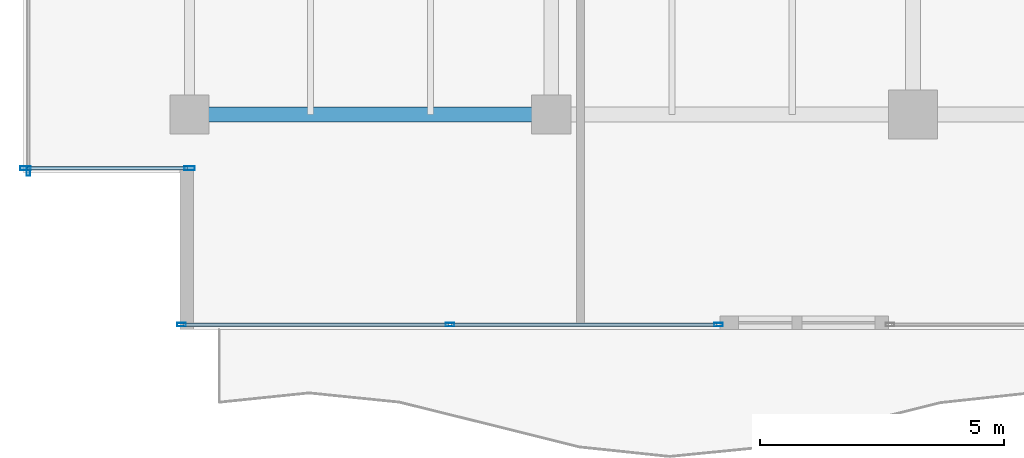
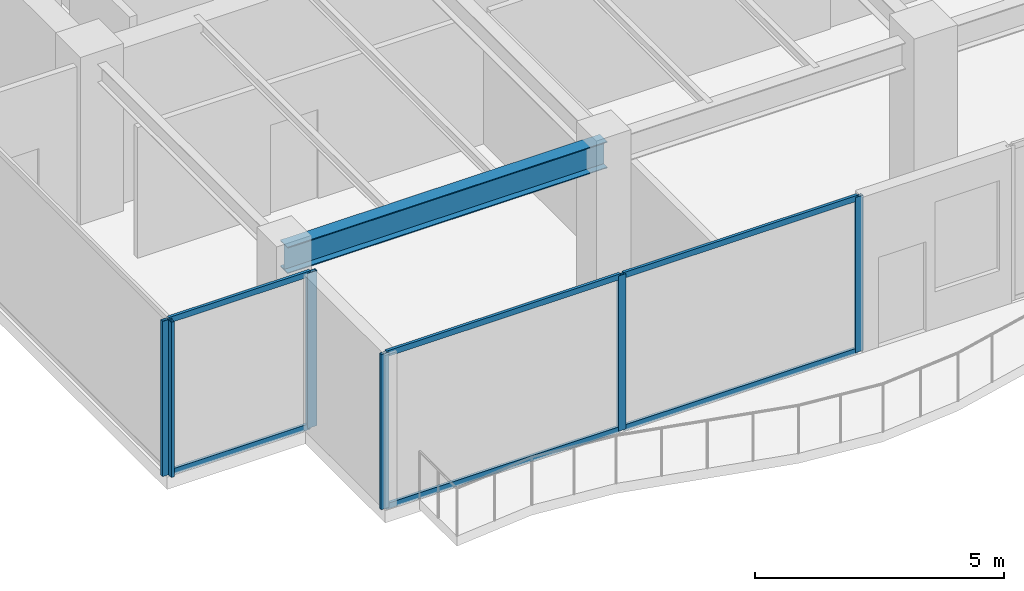
# One storey, part 4 of 34: 12 members, 1 beam, 3 elements without a shape of their own.
"""IFC4 building model written with IfcOpenShell, lengths in metres."""

import ifcopenshell
import ifcopenshell.guid

model = None  # the IFC model being written
_history = None  # IfcOwnerHistory: only IFC2X3 demands one
_inside = {}  # id of a spatial element -> (the spatial element, [elements in it])
_under = {}  # id of a project, library or spatial element -> (it, [spatial elements below it])
_declared = {}  # id of a project -> (the project, [libraries it declares])
_typed = {}  # id of a type object -> (the type object, [elements of that type])
_made_of = {}  # id of a material, layer set ... -> (it, [elements and type objects made of it])


def new_model(schema):
    """Start an empty IFC model of exactly this schema.

    Asked for "IFC4X3", IfcOpenShell would pick the latest addendum, in which some entities
    have other attributes; the version numbers below select the first issue.
    IFC2X3 requires an IfcOwnerHistory on every rooted entity: one is made here for all.
    """
    global model, _history
    if schema == "IFC4X3":
        model = ifcopenshell.file(schema_version=(4, 3, 0, 0))
    else:
        model = ifcopenshell.file(schema=schema)
    _inside.clear()
    _under.clear()
    _declared.clear()
    _typed.clear()
    _made_of.clear()
    _history = None
    if model.schema == "IFC2X3":
        org = make("IfcOrganization", Name="unknown")
        user = make(
            "IfcPersonAndOrganization",
            ThePerson=make("IfcPerson", FamilyName="unknown"),
            TheOrganization=org,
        )
        app = make(
            "IfcApplication",
            ApplicationDeveloper=org,
            Version="unknown",
            ApplicationFullName="unknown",
            ApplicationIdentifier="unknown",
        )
        _history = make(
            "IfcOwnerHistory",
            OwningUser=user,
            OwningApplication=app,
            ChangeAction="ADDED",
            CreationDate=0,
        )
    return model


def make(cls, **values):
    """One entity of the class cls with the attributes given. An attribute that is None is left unset."""
    return model.create_entity(
        cls, **{name: value for name, value in values.items() if value is not None}
    )


def rooted(cls, **values):
    """An entity with a GlobalId (a new one), such as an element, a storey or a relation."""
    return make(cls, GlobalId=ifcopenshell.guid.new(), OwnerHistory=_history, **values)


def si_unit(unit_type, name, prefix=None):
    """IfcSIUnit, for example si_unit("LENGTHUNIT", "METRE", prefix="MILLI")."""
    return make("IfcSIUnit", UnitType=unit_type, Prefix=prefix, Name=name)


def assignment(units):
    """IfcUnitAssignment: the units of a project."""
    return None if units is None else make("IfcUnitAssignment", Units=units)


def point(xyz):
    """IfcCartesianPoint."""
    return None if xyz is None else make("IfcCartesianPoint", Coordinates=xyz)


def direction(xyz):
    """IfcDirection."""
    return None if xyz is None else make("IfcDirection", DirectionRatios=xyz)


def frame(location, z_axis=None, x_axis=None):
    """IfcAxis2Placement3D, a coordinate frame: its origin and axes. An axis left out is left unset."""
    return make(
        "IfcAxis2Placement3D",
        Location=point(location),
        Axis=direction(z_axis),
        RefDirection=direction(x_axis),
    )


def frame_2d(location, x_axis=None):
    """IfcAxis2Placement2D, a coordinate frame in the plane: its origin and x axis."""
    return make(
        "IfcAxis2Placement2D", Location=point(location), RefDirection=direction(x_axis)
    )


def origin():
    """The frame at (0, 0, 0) with its axes left unset."""
    return frame((0.0, 0.0, 0.0))


def origin_2d():
    """The frame at (0, 0) in the plane with its x axis left unset."""
    return frame_2d((0.0, 0.0))


def place(relative_to, where):
    """IfcLocalPlacement: puts the frame where relative to a parent placement (None: the world)."""
    return make(
        "IfcLocalPlacement", PlacementRelTo=relative_to, RelativePlacement=where
    )


def context(
    kind, dimensions, precision=None, world=None, true_north=None, identifier=None
):
    """IfcGeometricRepresentationContext, for example the 3D "Model" context."""
    return make(
        "IfcGeometricRepresentationContext",
        ContextIdentifier=identifier,
        ContextType=kind,
        CoordinateSpaceDimension=dimensions,
        Precision=precision,
        WorldCoordinateSystem=world,
        TrueNorth=true_north,
    )


def subcontext(parent, identifier, kind, view, scale=None):
    """IfcGeometricRepresentationSubContext, for example "Body" below "Model"."""
    return make(
        "IfcGeometricRepresentationSubContext",
        ContextIdentifier=identifier,
        ContextType=kind,
        ParentContext=parent,
        TargetScale=scale,
        TargetView=view,
    )


def project(units=None, contexts=None):
    """IfcProject with its units and contexts."""
    return rooted(
        "IfcProject",
        Name="project",
        RepresentationContexts=contexts,
        UnitsInContext=assignment(units),
    )


def spatial(cls, under=None, at=None, **own):
    """A site, building, storey or space (cls), placed at a placement, below another one or the project."""
    s = rooted(cls, ObjectPlacement=at, **own)
    if under is not None:
        _under.setdefault(under.id(), (under, []))[1].append(s)
    return s


def profile(cls, at=None, kind="AREA", **sizes):
    """A parametric profile (cls). Its sizes go by their IFC names, for example OverallWidth=200.0."""
    return make(cls, ProfileType=kind, Position=at, **sizes)


def hollow_rectangle(**sizes):
    """IfcRectangleHollowProfileDef."""
    return profile("IfcRectangleHollowProfileDef", **sizes)


def i_section(**sizes):
    """IfcIShapeProfileDef."""
    return profile("IfcIShapeProfileDef", **sizes)


def extrude(swept, where, along, depth):
    """IfcExtrudedAreaSolid: the profile swept, set in the frame where, extruded along a direction by depth."""
    return make(
        "IfcExtrudedAreaSolid",
        SweptArea=swept,
        Position=where,
        ExtrudedDirection=direction(along),
        Depth=depth,
    )


def shape(context_of_items, identifier, shape_type, items):
    """IfcShapeRepresentation: the items that make up one representation, for example the "Body"."""
    return make(
        "IfcShapeRepresentation",
        ContextOfItems=context_of_items,
        RepresentationIdentifier=identifier,
        RepresentationType=shape_type,
        Items=items,
    )


def source(mapping_origin, context_of_items, identifier, shape_type, items):
    """IfcRepresentationMap: a shape defined once, which mapped items show again and again."""
    return make(
        "IfcRepresentationMap",
        MappingOrigin=mapping_origin,
        MappedRepresentation=shape(context_of_items, identifier, shape_type, items),
    )


def transform(
    local_origin,
    x_axis=None,
    y_axis=None,
    z_axis=None,
    scale=None,
    scale2=None,
    scale3=None,
    uniform=True,
):
    """IfcCartesianTransformationOperator3D, or its non-uniform kind. x_axis, y_axis, z_axis: its Axis1, 2, 3."""
    if uniform:
        return make(
            "IfcCartesianTransformationOperator3D",
            Axis1=direction(x_axis),
            Axis2=direction(y_axis),
            LocalOrigin=point(local_origin),
            Scale=scale,
            Axis3=direction(z_axis),
        )
    return make(
        "IfcCartesianTransformationOperator3DnonUniform",
        Axis1=direction(x_axis),
        Axis2=direction(y_axis),
        LocalOrigin=point(local_origin),
        Scale=scale,
        Axis3=direction(z_axis),
        Scale2=scale2,
        Scale3=scale3,
    )


def mapped(mapping_source, mapping_target):
    """IfcMappedItem: shows the shape of a source again, moved by a transform."""
    return make(
        "IfcMappedItem", MappingSource=mapping_source, MappingTarget=mapping_target
    )


def material(Name=None, Category=None):
    """IfcMaterial."""
    return make("IfcMaterial", Name=Name, Category=Category)


def layer(
    of_material, thickness, ventilated=None, Name=None, Category=None, Priority=None
):
    """IfcMaterialLayer: one layer of a wall or slab, of a material (None: an air gap)."""
    return make(
        "IfcMaterialLayer",
        Material=of_material,
        LayerThickness=thickness,
        IsVentilated=ventilated,
        Name=Name,
        Category=Category,
        Priority=Priority,
    )


def layer_set(layers, Name=None):
    """IfcMaterialLayerSet."""
    return make("IfcMaterialLayerSet", MaterialLayers=layers, LayerSetName=Name)


def material_profile(
    of_material, cross_section, Name=None, Category=None, Priority=None
):
    """IfcMaterialProfile: a cross section and its material."""
    return make(
        "IfcMaterialProfile",
        Name=Name,
        Material=of_material,
        Profile=cross_section,
        Priority=Priority,
        Category=Category,
    )


def profile_set(profiles, Name=None, composite=None):
    """IfcMaterialProfileSet."""
    return make(
        "IfcMaterialProfileSet",
        Name=Name,
        MaterialProfiles=profiles,
        CompositeProfile=composite,
    )


def made_of(thing, what):
    """Note that an element or type object is made of a material, layer set ...; save() writes the relation."""
    if what is not None:
        _made_of.setdefault(what.id(), (what, []))[1].append(thing)
    return thing


def type_object(cls, material=None, **own):
    """A type object (cls), such as IfcWallType, which elements share."""
    return made_of(rooted(cls, **own), material)


def type_shapes(of_type, sources):
    """Give a type object the sources (RepresentationMaps) that its elements show as mapped items."""
    of_type.RepresentationMaps = sources


def element(
    cls,
    number,
    at=None,
    inside=None,
    cuts=None,
    type_object=None,
    material=None,
    context=None,
    identifier="Body",
    shape_type=None,
    held_by="IfcProductDefinitionShape",
    body=None,
    shapes=None,
    **own,
):
    """One element of the class cls, such as IfcWall. Its Tag is "e" and its number.

    at: its placement. inside: the storey or other place that contains it. cuts: it is an
    opening in that element (IfcRelVoidsElement). A single representation is given by context,
    identifier, shape_type and body (its items); several are given by shapes. held_by: the class
    of the entity that holds the representations. save() writes the other relations.
    """
    e = rooted(cls, Tag="e%d" % number, ObjectPlacement=at, **own)
    if body is not None:
        shapes = [shape(context, identifier, shape_type, body)]
    if shapes is not None:
        e.Representation = make(held_by, Representations=shapes)
    if inside is not None:
        _inside.setdefault(inside.id(), (inside, []))[1].append(e)
    if cuts is not None:
        rooted(
            "IfcRelVoidsElement", RelatingBuildingElement=cuts, RelatedOpeningElement=e
        )
    if type_object is not None:
        _typed.setdefault(type_object.id(), (type_object, []))[1].append(e)
    return made_of(e, material)


def aggregate(whole, parts):
    """IfcRelAggregates: a whole, such as a stair, and the parts it consists of."""
    return rooted("IfcRelAggregates", RelatingObject=whole, RelatedObjects=parts)


def save(model, path):
    """Write the relations noted so far, then the file.

    IfcRelAggregates (storeys below a building ...), IfcRelContainedInSpatialStructure (elements
    in a storey), IfcRelDefinesByType, IfcRelAssociatesMaterial and IfcRelDeclares: one each for
    every whole, place, type object, material and project.
    """
    for whole, parts in _under.values():
        aggregate(whole, parts)
    for where, things in _inside.values():
        rooted(
            "IfcRelContainedInSpatialStructure",
            RelatedElements=things,
            RelatingStructure=where,
        )
    for kind, things in _typed.values():
        rooted("IfcRelDefinesByType", RelatedObjects=things, RelatingType=kind)
    for what, things in _made_of.values():
        rooted("IfcRelAssociatesMaterial", RelatedObjects=things, RelatingMaterial=what)
    for by, libraries in _declared.values():
        rooted("IfcRelDeclares", RelatingContext=by, RelatedDefinitions=libraries)
    model.write(path)


model = new_model("IFC4")

# Units and contexts
model_context = context("Model", 3, precision=1e-05, world=origin(), true_north=direction((0.0, 1.0)))
body_context = subcontext(model_context, "Body", "Model", "MODEL_VIEW")
ifc_project = project(units=[si_unit("LENGTHUNIT", "METRE"), si_unit("AREAUNIT", "SQUARE_METRE"), si_unit("VOLUMEUNIT", "CUBIC_METRE"), si_unit("PLANEANGLEUNIT", "RADIAN"), si_unit("MASSUNIT", "GRAM", prefix="KILO")], contexts=[model_context])

# Site, building, storey
site_placement = place(None, origin())
site = spatial("IfcSite", under=ifc_project, at=site_placement, CompositionType="ELEMENT")
building_placement = place(site_placement, origin())
building = spatial("IfcBuilding", under=site, at=building_placement, Name="Haelvirn Gate Laboratories", CompositionType="ELEMENT")
storey_placement = place(building_placement, frame((0.0, 0.0, 246.5)))
storey = spatial("IfcBuildingStorey", under=building, at=storey_placement, Name="L59", CompositionType="ELEMENT", Elevation=246.5)

# Beam
ifc_material_1 = material(Name="Steel SM355", Category="steel")
ifc_material_profile_1 = material_profile(ifc_material_1, i_section(OverallWidth=0.300048828125, OverallDepth=0.64990234375, WebThickness=0.012939453125, FlangeThickness=0.02197265625, at=origin_2d()), Name="H-650x300x13x22")
ifc_profile_set_1 = profile_set([ifc_material_profile_1], Name="Steel SM355")
beam_type = type_object("IfcBeamType", Name="BM-G-650", PredefinedType="BEAM", material=ifc_profile_set_1)
shared_shape_1 = source(origin(), body_context, "Body", "SweptSolid", [
    extrude(i_section(OverallWidth=0.300048828125, OverallDepth=0.64990234375, WebThickness=0.012939453125, FlangeThickness=0.02197265625, at=origin_2d()), origin(), (0.0, 0.0, 1.0), 7.400146484375),
])
type_shapes(beam_type, [shared_shape_1])
beam_placement = place(storey_placement, frame((7.39990234375, 7.0, 3.47509765625), z_axis=(1.0, 0.0, 0.0), x_axis=(0.0, 1.0, 0.0)))
element("IfcBeam", 1, at=beam_placement, inside=storey, type_object=beam_type, Name="L59 Primary Girder Y7.0 (7.4-14.8)", PredefinedType="BEAM", context=body_context, shape_type="MappedRepresentation", body=[
    mapped(shared_shape_1, transform((0.0, 0.0, 0.0), scale=1.0)),
])

# Curtain wall, members
ifc_material_2 = material(Name="Anodised bronze unitised aluminium & triple low-E glass", Category="aluminium")
ifc_layer_1 = layer(ifc_material_2, 0.181884765625, Name="CW-SYS-5")
ifc_layer_set_1 = layer_set([ifc_layer_1], Name="Anodised bronze unitised aluminium & triple low-E glass")
curtain_wall_type_1 = type_object("IfcCurtainWallType", Name="CW-SYS-5", PredefinedType="NOTDEFINED", material=ifc_layer_set_1)
curtain_wall_1_placement = place(storey_placement, origin())
curtain_wall_1 = element("IfcCurtainWall", 2, at=curtain_wall_1_placement, inside=storey, type_object=curtain_wall_type_1, Name="L59 Unitised Curtain Wall CW-L59-P0-E18-1", PredefinedType="NOTDEFINED")
ifc_material_3 = material(Name="Extruded aluminium 6063-T6 (anodised bronze)", Category="aluminium")
ifc_material_profile_2 = material_profile(ifc_material_3, hollow_rectangle(XDim=0.06494140625, YDim=0.139892578125, WallThickness=0.00390625, at=origin_2d()), Name="CWT-140x65x4")
ifc_profile_set_2 = profile_set([ifc_material_profile_2], Name="Extruded aluminium 6063-T6 (anodised bronze)")
member_type_1 = type_object("IfcMemberType", Name="CWT-T140", PredefinedType="USERDEFINED", material=ifc_profile_set_2)
shared_shape_2 = source(origin(), body_context, "Body", "SweptSolid", [
    extrude(hollow_rectangle(XDim=0.06494140625, YDim=0.139892578125, WallThickness=0.00390625, at=origin_2d()), origin(), (0.0, 0.0, 1.0), 3.280029296875),
])
member_1_placement = place(storey_placement, frame((4.080078125, 5.89990234375, 0.032470703125), z_axis=(1.0, 0.0, 0.0), x_axis=(0.0, 1.0, 0.0)))
member_1 = element("IfcMember", 3, at=member_1_placement, type_object=member_type_1, Name="CW5 transom 1.1", ObjectType="TRANSOM", PredefinedType="USERDEFINED", context=body_context, shape_type="MappedRepresentation", body=[
    mapped(shared_shape_2, transform((0.0, 0.0, 0.0), scale=1.0)),
])
member_2_placement = place(storey_placement, frame((4.080078125, 5.89990234375, 3.767578125), z_axis=(1.0, 0.0, 0.0), x_axis=(0.0, 1.0, 0.0)))
member_2 = element("IfcMember", 4, at=member_2_placement, type_object=member_type_1, Name="CW5 transom 1.2", ObjectType="TRANSOM", PredefinedType="USERDEFINED", context=body_context, shape_type="MappedRepresentation", body=[
    mapped(shared_shape_2, transform((0.0, 0.0, 0.0), scale=1.0)),
])

ifc_layer_2 = layer(ifc_material_2, 0.176025390625, Name="CW-SYS-4")
ifc_layer_set_2 = layer_set([ifc_layer_2], Name="Anodised bronze unitised aluminium & triple low-E glass")
curtain_wall_type_2 = type_object("IfcCurtainWallType", Name="CW-SYS-4", PredefinedType="NOTDEFINED", material=ifc_layer_set_2)
curtain_wall_2_placement = place(storey_placement, origin())
curtain_wall_2 = element("IfcCurtainWall", 5, at=curtain_wall_2_placement, inside=storey, type_object=curtain_wall_type_2, Name="L59 Unitised Curtain Wall CW-L59-P0-E00-1", PredefinedType="NOTDEFINED")
ifc_material_profile_3 = material_profile(ifc_material_3, hollow_rectangle(XDim=0.070068359375, YDim=0.179931640625, WallThickness=0.0048828125, at=origin_2d()), Name="CWM-180x70x5")
ifc_profile_set_3 = profile_set([ifc_material_profile_3], Name="Extruded aluminium 6063-T6 (anodised bronze)")
member_type_2 = type_object("IfcMemberType", Name="CWM-T180", PredefinedType="MULLION", material=ifc_profile_set_3)
shared_shape_3 = source(origin(), body_context, "Body", "SweptSolid", [
    extrude(hollow_rectangle(XDim=0.070068359375, YDim=0.179931640625, WallThickness=0.0048828125, at=origin_2d()), origin(), (0.0, 0.0, 1.0), 3.800048828125),
])
type_shapes(member_type_2, [shared_shape_3])
member_3_placement = place(storey_placement, frame((7.235107421875, 2.699951171875, 0.0), z_axis=(0.0, 0.0, 1.0), x_axis=(0.0, 1.0, 0.0)))
member_3 = element("IfcMember", 6, at=member_3_placement, type_object=member_type_2, Name="CW4 mullion 1", PredefinedType="MULLION", context=body_context, shape_type="MappedRepresentation", body=[
    mapped(shared_shape_3, transform((0.0, 0.0, 0.0), scale=1.0)),
])
member_4_placement = place(storey_placement, frame((12.7275390625, 2.699951171875, 0.0), z_axis=(0.0, 0.0, 1.0), x_axis=(0.0, 1.0, 0.0)))
member_4 = element("IfcMember", 7, at=member_4_placement, type_object=member_type_2, Name="CW4 mullion 2", PredefinedType="MULLION", context=body_context, shape_type="MappedRepresentation", body=[
    mapped(shared_shape_3, transform((0.0, 0.0, 0.0), scale=1.0)),
])
member_5_placement = place(storey_placement, frame((18.219970703125, 2.699951171875, 0.0), z_axis=(0.0, 0.0, 1.0), x_axis=(0.0, 1.0, 0.0)))
member_5 = element("IfcMember", 8, at=member_5_placement, type_object=member_type_2, Name="CW4 mullion 3", PredefinedType="MULLION", context=body_context, shape_type="MappedRepresentation", body=[
    mapped(shared_shape_3, transform((0.0, 0.0, 0.0), scale=1.0)),
])

# Curtain wall, member
curtain_wall_3_placement = place(storey_placement, origin())
curtain_wall_3 = element("IfcCurtainWall", 9, at=curtain_wall_3_placement, inside=storey, type_object=curtain_wall_type_2, Name="L59 Unitised Curtain Wall CW-L59-P0-E17", PredefinedType="NOTDEFINED")
member_6_placement = place(storey_placement, frame((4.10009765625, 5.8349609375, 0.0), z_axis=(0.0, 0.0, 1.0), x_axis=(1.0, 0.0, 0.0)))
member_6 = element("IfcMember", 10, at=member_6_placement, type_object=member_type_2, Name="CW4 mullion 3", PredefinedType="MULLION", context=body_context, shape_type="MappedRepresentation", body=[
    mapped(shared_shape_3, transform((0.0, 0.0, 0.0), scale=1.0)),
])
aggregate(curtain_wall_3, [member_6])

# Member
ifc_material_profile_4 = material_profile(ifc_material_3, hollow_rectangle(XDim=0.080078125, YDim=0.219970703125, WallThickness=0.006103515625, at=origin_2d()), Name="CWM-220x80x6")
ifc_profile_set_4 = profile_set([ifc_material_profile_4], Name="Extruded aluminium 6063-T6 (anodised bronze)")
member_type_3 = type_object("IfcMemberType", Name="CWM-T220", PredefinedType="MULLION", material=ifc_profile_set_4)
shared_shape_4 = source(origin(), body_context, "Body", "SweptSolid", [
    extrude(hollow_rectangle(XDim=0.080078125, YDim=0.219970703125, WallThickness=0.006103515625, at=origin_2d()), origin(), (0.0, 0.0, 1.0), 3.800048828125),
])
type_shapes(member_type_3, [shared_shape_4])
member_7_placement = place(storey_placement, frame((4.0400390625, 5.89990234375, 0.0), z_axis=(0.0, 0.0, 1.0), x_axis=(0.0, 1.0, 0.0)))
member_7 = element("IfcMember", 11, at=member_7_placement, type_object=member_type_3, Name="CW5 mullion 1", PredefinedType="MULLION", context=body_context, shape_type="MappedRepresentation", body=[
    mapped(shared_shape_4, transform((0.0, 0.0, 0.0), scale=1.0)),
])

member_8_placement = place(storey_placement, frame((7.39990234375, 5.89990234375, 0.0), z_axis=(0.0, 0.0, 1.0), x_axis=(0.0, 1.0, 0.0)))
member_8 = element("IfcMember", 12, at=member_8_placement, type_object=member_type_3, Name="CW5 mullion 2", PredefinedType="MULLION", context=body_context, shape_type="MappedRepresentation", body=[
    mapped(shared_shape_4, transform((0.0, 0.0, 0.0), scale=1.0)),
])

aggregate(curtain_wall_1, [member_7, member_8, member_1, member_2])

shared_shape_5 = source(origin(), body_context, "Body", "SweptSolid", [
    extrude(hollow_rectangle(XDim=0.06494140625, YDim=0.139892578125, WallThickness=0.00390625, at=origin_2d()), origin(), (0.0, 0.0, 1.0), 5.42236328125),
])
member_9_placement = place(storey_placement, frame((7.27001953125, 2.699951171875, 0.032470703125), z_axis=(1.0, 0.0, 0.0), x_axis=(0.0, 1.0, 0.0)))
member_9 = element("IfcMember", 13, at=member_9_placement, type_object=member_type_1, Name="CW4 transom 1.1", ObjectType="TRANSOM", PredefinedType="USERDEFINED", context=body_context, shape_type="MappedRepresentation", body=[
    mapped(shared_shape_5, transform((0.0, 0.0, 0.0), scale=1.0)),
])

member_10_placement = place(storey_placement, frame((7.27001953125, 2.699951171875, 3.767578125), z_axis=(1.0, 0.0, 0.0), x_axis=(0.0, 1.0, 0.0)))
member_10 = element("IfcMember", 14, at=member_10_placement, type_object=member_type_1, Name="CW4 transom 1.2", ObjectType="TRANSOM", PredefinedType="USERDEFINED", context=body_context, shape_type="MappedRepresentation", body=[
    mapped(shared_shape_5, transform((0.0, 0.0, 0.0), scale=1.0)),
])

shared_shape_6 = source(origin(), body_context, "Body", "SweptSolid", [
    extrude(hollow_rectangle(XDim=0.06494140625, YDim=0.139892578125, WallThickness=0.00390625, at=origin_2d()), origin(), (0.0, 0.0, 1.0), 5.422607421875),
])
type_shapes(member_type_1, [shared_shape_2, shared_shape_5, shared_shape_6])
member_11_placement = place(storey_placement, frame((12.762451171875, 2.699951171875, 0.032470703125), z_axis=(1.0, 0.0, 0.0), x_axis=(0.0, 1.0, 0.0)))
member_11 = element("IfcMember", 15, at=member_11_placement, type_object=member_type_1, Name="CW4 transom 2.1", ObjectType="TRANSOM", PredefinedType="USERDEFINED", context=body_context, shape_type="MappedRepresentation", body=[
    mapped(shared_shape_6, transform((0.0, 0.0, 0.0), scale=1.0)),
])

member_12_placement = place(storey_placement, frame((12.762451171875, 2.699951171875, 3.767578125), z_axis=(1.0, 0.0, 0.0), x_axis=(0.0, 1.0, 0.0)))
member_12 = element("IfcMember", 16, at=member_12_placement, type_object=member_type_1, Name="CW4 transom 2.2", ObjectType="TRANSOM", PredefinedType="USERDEFINED", context=body_context, shape_type="MappedRepresentation", body=[
    mapped(shared_shape_6, transform((0.0, 0.0, 0.0), scale=1.0)),
])

aggregate(curtain_wall_2, [member_3, member_4, member_5, member_9, member_10, member_11, member_12])

save(model, "model.ifc")
